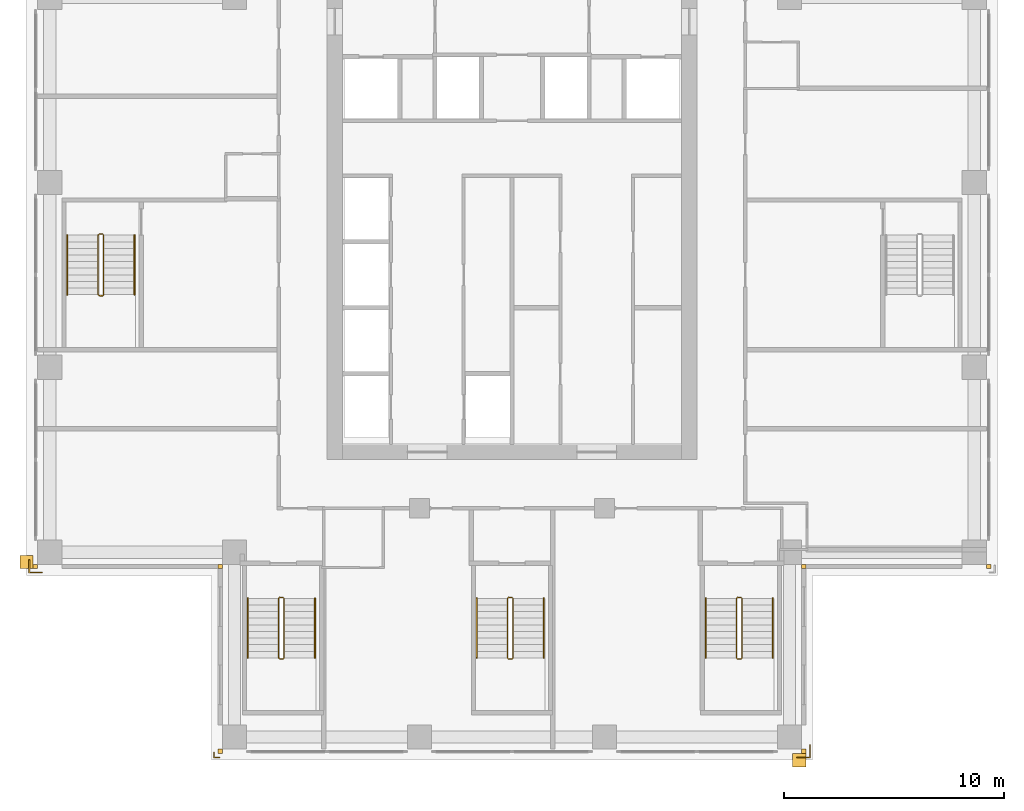
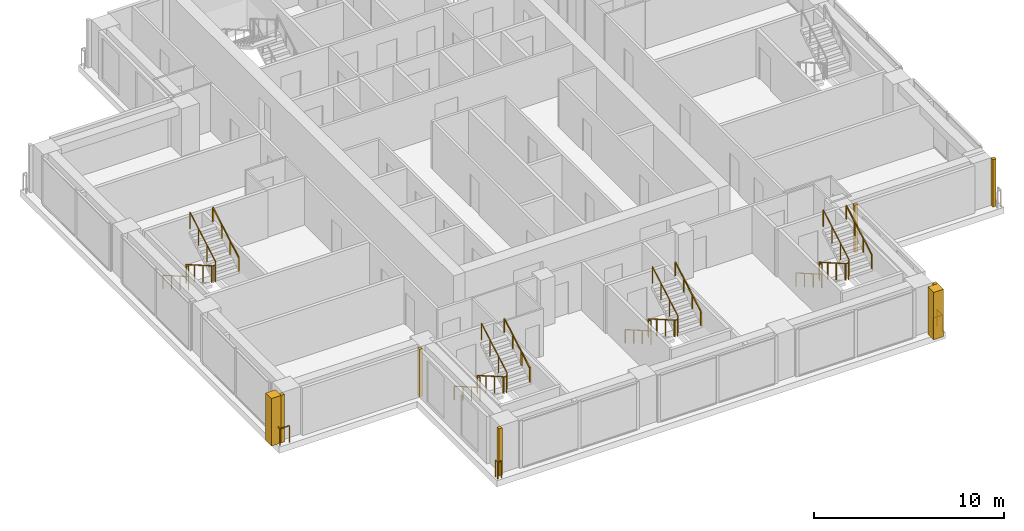
# One storey, part 14 of 16: 15 railings, 8 coverings.
"""IFC4 building model written with IfcOpenShell, lengths in metres."""

from ifc_helpers import new_model, si_unit, direction, frame, origin, origin_2d, place, context, subcontext, project, spatial, polyline, rectangle, outline, extrude, material, type_object, element, save


model = new_model("IFC4")

# Units and contexts
model_context = context("Model", 3, precision=1e-05, world=origin(), true_north=direction((0.0, 1.0)))
body_context = subcontext(model_context, "Body", "Model", "MODEL_VIEW")
ifc_project = project(units=[si_unit("LENGTHUNIT", "METRE"), si_unit("AREAUNIT", "SQUARE_METRE"), si_unit("VOLUMEUNIT", "CUBIC_METRE"), si_unit("PLANEANGLEUNIT", "RADIAN"), si_unit("MASSUNIT", "GRAM", prefix="KILO")], contexts=[model_context])

# Site, building, storey
site_placement = place(None, origin())
site = spatial("IfcSite", under=ifc_project, at=site_placement, CompositionType="ELEMENT")
building_placement = place(site_placement, origin())
building = spatial("IfcBuilding", under=site, at=building_placement, Name="Vermilion Ogive Tower", CompositionType="ELEMENT")
storey_placement = place(building_placement, frame((0.0, 0.0, 146.89990234375)))
storey = spatial("IfcBuildingStorey", under=building, at=storey_placement, Name="L37", CompositionType="ELEMENT", Elevation=146.89990234375)

# Railings
ifc_material_1 = material(Name="Stainless steel", Category="steel")
railing_type_1 = type_object("IfcRailingType", Name="Slab edge guard SG1", PredefinedType="GUARDRAIL", material=ifc_material_1)
railing_1_placement = place(storey_placement, frame((-13.300048828125, -21.929931640625, 0.0)))
element("IfcRailing", 1, at=railing_1_placement, inside=storey, type_object=railing_type_1, Name="L37 slab corner guard", PredefinedType="GUARDRAIL", context=body_context, shape_type="SweptSolid", body=[
    extrude(rectangle(XDim=0.050048828125, YDim=0.050048828125, at=origin_2d()), frame((0.0, 0.0, 1.0751953125), z_axis=(-1.0, 0.0, 0.0), x_axis=(0.0, -1.0, 0.0)), (0.0, 0.0, 1.0), 0.22998046875),
    extrude(rectangle(XDim=0.050048828125, YDim=0.050048828125, at=origin_2d()), frame((-0.22998046875, 0.0, 1.0751953125), z_axis=(0.0, 1.0, 0.0), x_axis=(-1.0, 0.0, 0.0)), (0.0, 0.0, 1.0), 0.22998046875),
    extrude(rectangle(XDim=0.050048828125, YDim=0.050048828125, at=origin_2d()), origin(), (0.0, 0.0, 1.0), 1.050048828125),
    extrude(rectangle(XDim=0.050048828125, YDim=0.050048828125, at=origin_2d()), frame((-0.22998046875, 0.0, 0.0)), (0.0, 0.0, 1.0), 1.050048828125),
    extrude(rectangle(XDim=0.050048828125, YDim=0.050048828125, at=origin_2d()), frame((-0.22998046875, 0.22998046875, 0.0)), (0.0, 0.0, 1.0), 1.050048828125),
])
railing_2_placement = place(storey_placement, frame((12.949951171875, -21.929931640625, 0.0)))
element("IfcRailing", 2, at=railing_2_placement, inside=storey, type_object=railing_type_1, Name="L37 slab corner guard", PredefinedType="GUARDRAIL", context=body_context, shape_type="SweptSolid", body=[
    extrude(rectangle(XDim=0.050048828125, YDim=0.050048828125, at=origin_2d()), frame((0.0, 0.0, 1.0751953125), z_axis=(1.0, 0.0, 0.0), x_axis=(0.0, 1.0, 0.0)), (0.0, 0.0, 1.0), 0.580078125),
    extrude(rectangle(XDim=0.050048828125, YDim=0.050048828125, at=origin_2d()), frame((0.580078125, 0.0, 1.0751953125), z_axis=(0.0, 1.0, 0.0), x_axis=(-1.0, 0.0, 0.0)), (0.0, 0.0, 1.0), 0.579833984375),
    extrude(rectangle(XDim=0.050048828125, YDim=0.050048828125, at=origin_2d()), origin(), (0.0, 0.0, 1.0), 1.050048828125),
    extrude(rectangle(XDim=0.050048828125, YDim=0.050048828125, at=origin_2d()), frame((0.580078125, 0.0, 0.0)), (0.0, 0.0, 1.0), 1.050048828125),
    extrude(rectangle(XDim=0.050048828125, YDim=0.050048828125, at=origin_2d()), frame((0.580078125, 0.579833984375, 0.0)), (0.0, 0.0, 1.0), 1.050048828125),
])
railing_3_placement = place(storey_placement, frame((-21.929931640625, -12.949951171875, 0.0)))
element("IfcRailing", 3, at=railing_3_placement, inside=storey, type_object=railing_type_1, Name="L37 slab corner guard", PredefinedType="GUARDRAIL", context=body_context, shape_type="SweptSolid", body=[
    extrude(rectangle(XDim=0.050048828125, YDim=0.050048828125, at=origin_2d()), frame((0.0, 0.0, 1.0751953125), z_axis=(0.0, -1.0, 0.0), x_axis=(1.0, 0.0, 0.0)), (0.0, 0.0, 1.0), 0.580078125),
    extrude(rectangle(XDim=0.050048828125, YDim=0.050048828125, at=origin_2d()), frame((0.0, -0.580078125, 1.0751953125), z_axis=(1.0, 0.0, 0.0), x_axis=(0.0, 1.0, 0.0)), (0.0, 0.0, 1.0), 0.579833984375),
    extrude(rectangle(XDim=0.050048828125, YDim=0.050048828125, at=origin_2d()), origin(), (0.0, 0.0, 1.0), 1.050048828125),
    extrude(rectangle(XDim=0.050048828125, YDim=0.050048828125, at=origin_2d()), frame((0.0, -0.580078125, 0.0)), (0.0, 0.0, 1.0), 1.050048828125),
    extrude(rectangle(XDim=0.050048828125, YDim=0.050048828125, at=origin_2d()), frame((0.579833984375, -0.580078125, 0.0)), (0.0, 0.0, 1.0), 1.050048828125),
])
ifc_material_2 = material(Name="Steel S355 painted", Category="steel")
railing_type_2 = type_object("IfcRailingType", Name="Stair guard 1100", PredefinedType="GUARDRAIL", material=ifc_material_2)
railing_4_placement = place(storey_placement, frame((-10.39990234375, -14.64990234375, 0.0)))
element("IfcRailing", 4, at=railing_4_placement, inside=storey, type_object=railing_type_2, Name="L37 ST3 stair guard 4", PredefinedType="GUARDRAIL", context=body_context, shape_type="SweptSolid", body=[
    extrude(rectangle(XDim=0.048095703125, YDim=0.048095703125, at=origin_2d()), frame((0.0, 0.0, 1.076171875), z_axis=(-1.0, 0.0, 0.0), x_axis=(0.0, -1.0, 0.0)), (0.0, 0.0, 1.0), 0.150146484375),
    extrude(rectangle(XDim=0.048095703125, YDim=0.048095703125, at=origin_2d()), frame((-0.150146484375, 0.0, 1.076171875), z_axis=(-0.268277960024, -0.268277960024, 0.925231793839), x_axis=(0.707106781187, -0.707106781187, 0.0)), (0.0, 0.0, 1.0), 0.1865234375),
    extrude(rectangle(XDim=0.048095703125, YDim=0.048095703125, at=origin_2d()), frame((-0.2001953125, -0.050048828125, 1.24853515625), z_axis=(0.0, -0.866903762492, 0.498475542607), x_axis=(1.0, 0.0, 0.0)), (0.0, 0.0, 1.0), 3.114501953125),
    extrude(rectangle(XDim=0.048095703125, YDim=0.048095703125, at=origin_2d()), frame((-0.2001953125, -2.75, 2.80126953125), z_axis=(0.707106781187, -0.707106781187, 0.0), x_axis=(0.707106781187, 0.707106781187, 0.0)), (0.0, 0.0, 1.0), 0.07080078125),
    extrude(rectangle(XDim=0.048095703125, YDim=0.048095703125, at=origin_2d()), frame((-0.150146484375, -2.800048828125, 2.80126953125), z_axis=(1.0, 0.0, 0.0), x_axis=(0.0, 1.0, 0.0)), (0.0, 0.0, 1.0), 0.150146484375),
    extrude(rectangle(XDim=0.048095703125, YDim=0.048095703125, at=origin_2d()), frame((0.0, -2.800048828125, 2.80126953125), z_axis=(0.267062837333, 0.268371968888, 0.925556009775), x_axis=(-0.708833529934, 0.705375805398, 0.0)), (0.0, 0.0, 1.0), 0.1865234375),
    extrude(rectangle(XDim=0.048095703125, YDim=0.048095703125, at=origin_2d()), frame((0.0498046875, -2.75, 2.9736328125), z_axis=(0.0, 0.866903762492, 0.498475542607), x_axis=(-1.0, 0.0, 0.0)), (0.0, 0.0, 1.0), 3.114501953125),
    extrude(rectangle(XDim=0.0419921875, YDim=0.0419921875, at=origin_2d()), origin(), (0.0, 0.0, 1.0), 1.052001953125),
    extrude(rectangle(XDim=0.0419921875, YDim=0.0419921875, at=origin_2d()), frame((-0.150146484375, 0.0, 0.0)), (0.0, 0.0, 1.0), 1.052001953125),
    extrude(rectangle(XDim=0.0419921875, YDim=0.0419921875, at=origin_2d()), frame((-0.2001953125, -0.050048828125, 0.172607421875)), (0.0, 0.0, 1.0), 1.052001953125),
    extrude(rectangle(XDim=0.0419921875, YDim=0.0419921875, at=origin_2d()), frame((-0.2001953125, -0.949951171875, 0.690185546875)), (0.0, 0.0, 1.0), 1.052001953125),
    extrude(rectangle(XDim=0.0419921875, YDim=0.0419921875, at=origin_2d()), frame((-0.2001953125, -1.85009765625, 1.20751953125)), (0.0, 0.0, 1.0), 1.052001953125),
    extrude(rectangle(XDim=0.0419921875, YDim=0.0419921875, at=origin_2d()), frame((-0.2001953125, -2.75, 1.72509765625)), (0.0, 0.0, 1.0), 1.052001953125),
    extrude(rectangle(XDim=0.0419921875, YDim=0.0419921875, at=origin_2d()), frame((-0.150146484375, -2.800048828125, 1.72509765625)), (0.0, 0.0, 1.0), 1.052001953125),
    extrude(rectangle(XDim=0.0419921875, YDim=0.0419921875, at=origin_2d()), frame((0.0, -2.800048828125, 1.72509765625)), (0.0, 0.0, 1.0), 1.052001953125),
    extrude(rectangle(XDim=0.0419921875, YDim=0.0419921875, at=origin_2d()), frame((0.0498046875, -2.75, 1.897705078125)), (0.0, 0.0, 1.0), 1.052001953125),
    extrude(rectangle(XDim=0.0419921875, YDim=0.0419921875, at=origin_2d()), frame((0.0498046875, -1.85009765625, 2.415283203125)), (0.0, 0.0, 1.0), 1.052001953125),
    extrude(rectangle(XDim=0.0419921875, YDim=0.0419921875, at=origin_2d()), frame((0.0498046875, -0.949951171875, 2.9326171875)), (0.0, 0.0, 1.0), 1.052001953125),
    extrude(rectangle(XDim=0.0419921875, YDim=0.0419921875, at=origin_2d()), frame((0.0498046875, -0.050048828125, 3.4501953125)), (0.0, 0.0, 1.0), 1.052001953125),
])
railing_5_placement = place(storey_placement, frame((0.0, -14.64990234375, 0.0)))
element("IfcRailing", 5, at=railing_5_placement, inside=storey, type_object=railing_type_2, Name="L37 ST4 stair guard 4", PredefinedType="GUARDRAIL", context=body_context, shape_type="SweptSolid", body=[
    extrude(rectangle(XDim=0.048095703125, YDim=0.048095703125, at=origin_2d()), frame((0.0, 0.0, 1.076171875), z_axis=(-1.0, 0.0, 0.0), x_axis=(0.0, -1.0, 0.0)), (0.0, 0.0, 1.0), 0.14990234375),
    extrude(rectangle(XDim=0.048095703125, YDim=0.048095703125, at=origin_2d()), frame((-0.14990234375, 0.0, 1.076171875), z_axis=(-0.268277960024, -0.268277960024, 0.925231793839), x_axis=(0.707106781187, -0.707106781187, 0.0)), (0.0, 0.0, 1.0), 0.1865234375),
    extrude(rectangle(XDim=0.048095703125, YDim=0.048095703125, at=origin_2d()), frame((-0.199951171875, -0.050048828125, 1.24853515625), z_axis=(0.0, -0.866903762492, 0.498475542607), x_axis=(1.0, 0.0, 0.0)), (0.0, 0.0, 1.0), 3.114501953125),
    extrude(rectangle(XDim=0.048095703125, YDim=0.048095703125, at=origin_2d()), frame((-0.199951171875, -2.75, 2.80126953125), z_axis=(0.707106781187, -0.707106781187, 0.0), x_axis=(0.707106781187, 0.707106781187, 0.0)), (0.0, 0.0, 1.0), 0.07080078125),
    extrude(rectangle(XDim=0.048095703125, YDim=0.048095703125, at=origin_2d()), frame((-0.14990234375, -2.800048828125, 2.80126953125), z_axis=(1.0, 0.0, 0.0), x_axis=(0.0, 1.0, 0.0)), (0.0, 0.0, 1.0), 0.14990234375),
    extrude(rectangle(XDim=0.048095703125, YDim=0.048095703125, at=origin_2d()), frame((0.0, -2.800048828125, 2.80126953125), z_axis=(0.268277960024, 0.268277960024, 0.925231793839), x_axis=(-0.707106781187, 0.707106781187, 0.0)), (0.0, 0.0, 1.0), 0.1865234375),
    extrude(rectangle(XDim=0.048095703125, YDim=0.048095703125, at=origin_2d()), frame((0.050048828125, -2.75, 2.9736328125), z_axis=(0.0, 0.866903762492, 0.498475542607), x_axis=(-1.0, 0.0, 0.0)), (0.0, 0.0, 1.0), 3.114501953125),
    extrude(rectangle(XDim=0.0419921875, YDim=0.0419921875, at=origin_2d()), origin(), (0.0, 0.0, 1.0), 1.052001953125),
    extrude(rectangle(XDim=0.0419921875, YDim=0.0419921875, at=origin_2d()), frame((-0.14990234375, 0.0, 0.0)), (0.0, 0.0, 1.0), 1.052001953125),
    extrude(rectangle(XDim=0.0419921875, YDim=0.0419921875, at=origin_2d()), frame((-0.199951171875, -0.050048828125, 0.172607421875)), (0.0, 0.0, 1.0), 1.052001953125),
    extrude(rectangle(XDim=0.0419921875, YDim=0.0419921875, at=origin_2d()), frame((-0.199951171875, -0.949951171875, 0.690185546875)), (0.0, 0.0, 1.0), 1.052001953125),
    extrude(rectangle(XDim=0.0419921875, YDim=0.0419921875, at=origin_2d()), frame((-0.199951171875, -1.85009765625, 1.20751953125)), (0.0, 0.0, 1.0), 1.052001953125),
    extrude(rectangle(XDim=0.0419921875, YDim=0.0419921875, at=origin_2d()), frame((-0.199951171875, -2.75, 1.72509765625)), (0.0, 0.0, 1.0), 1.052001953125),
    extrude(rectangle(XDim=0.0419921875, YDim=0.0419921875, at=origin_2d()), frame((-0.14990234375, -2.800048828125, 1.72509765625)), (0.0, 0.0, 1.0), 1.052001953125),
    extrude(rectangle(XDim=0.0419921875, YDim=0.0419921875, at=origin_2d()), frame((0.0, -2.800048828125, 1.72509765625)), (0.0, 0.0, 1.0), 1.052001953125),
    extrude(rectangle(XDim=0.0419921875, YDim=0.0419921875, at=origin_2d()), frame((0.050048828125, -2.75, 1.897705078125)), (0.0, 0.0, 1.0), 1.052001953125),
    extrude(rectangle(XDim=0.0419921875, YDim=0.0419921875, at=origin_2d()), frame((0.050048828125, -1.85009765625, 2.415283203125)), (0.0, 0.0, 1.0), 1.052001953125),
    extrude(rectangle(XDim=0.0419921875, YDim=0.0419921875, at=origin_2d()), frame((0.050048828125, -0.949951171875, 2.9326171875)), (0.0, 0.0, 1.0), 1.052001953125),
    extrude(rectangle(XDim=0.0419921875, YDim=0.0419921875, at=origin_2d()), frame((0.050048828125, -0.050048828125, 3.4501953125)), (0.0, 0.0, 1.0), 1.052001953125),
])
railing_6_placement = place(storey_placement, frame((10.39990234375, -14.64990234375, 0.0)))
element("IfcRailing", 6, at=railing_6_placement, inside=storey, type_object=railing_type_2, Name="L37 ST5 stair guard 4", PredefinedType="GUARDRAIL", context=body_context, shape_type="SweptSolid", body=[
    extrude(rectangle(XDim=0.048095703125, YDim=0.048095703125, at=origin_2d()), frame((0.0, 0.0, 1.076171875), z_axis=(-1.0, 0.0, 0.0), x_axis=(0.0, -1.0, 0.0)), (0.0, 0.0, 1.0), 0.14990234375),
    extrude(rectangle(XDim=0.048095703125, YDim=0.048095703125, at=origin_2d()), frame((-0.14990234375, 0.0, 1.076171875), z_axis=(-0.268277960024, -0.268277960024, 0.925231793839), x_axis=(0.707106781187, -0.707106781187, 0.0)), (0.0, 0.0, 1.0), 0.1865234375),
    extrude(rectangle(XDim=0.048095703125, YDim=0.048095703125, at=origin_2d()), frame((-0.199951171875, -0.050048828125, 1.24853515625), z_axis=(0.0, -0.866903762492, 0.498475542607), x_axis=(1.0, 0.0, 0.0)), (0.0, 0.0, 1.0), 3.114501953125),
    extrude(rectangle(XDim=0.048095703125, YDim=0.048095703125, at=origin_2d()), frame((-0.199951171875, -2.75, 2.80126953125), z_axis=(0.707106781187, -0.707106781187, 0.0), x_axis=(0.707106781187, 0.707106781187, 0.0)), (0.0, 0.0, 1.0), 0.07080078125),
    extrude(rectangle(XDim=0.048095703125, YDim=0.048095703125, at=origin_2d()), frame((-0.14990234375, -2.800048828125, 2.80126953125), z_axis=(1.0, 0.0, 0.0), x_axis=(0.0, 1.0, 0.0)), (0.0, 0.0, 1.0), 0.14990234375),
    extrude(rectangle(XDim=0.048095703125, YDim=0.048095703125, at=origin_2d()), frame((0.0, -2.800048828125, 2.80126953125), z_axis=(0.268277960024, 0.268277960024, 0.925231793839), x_axis=(-0.707106781187, 0.707106781187, 0.0)), (0.0, 0.0, 1.0), 0.1865234375),
    extrude(rectangle(XDim=0.048095703125, YDim=0.048095703125, at=origin_2d()), frame((0.050048828125, -2.75, 2.9736328125), z_axis=(0.0, 0.866903762492, 0.498475542607), x_axis=(-1.0, 0.0, 0.0)), (0.0, 0.0, 1.0), 3.114501953125),
    extrude(rectangle(XDim=0.0419921875, YDim=0.0419921875, at=origin_2d()), origin(), (0.0, 0.0, 1.0), 1.052001953125),
    extrude(rectangle(XDim=0.0419921875, YDim=0.0419921875, at=origin_2d()), frame((-0.14990234375, 0.0, 0.0)), (0.0, 0.0, 1.0), 1.052001953125),
    extrude(rectangle(XDim=0.0419921875, YDim=0.0419921875, at=origin_2d()), frame((-0.199951171875, -0.050048828125, 0.172607421875)), (0.0, 0.0, 1.0), 1.052001953125),
    extrude(rectangle(XDim=0.0419921875, YDim=0.0419921875, at=origin_2d()), frame((-0.199951171875, -0.949951171875, 0.690185546875)), (0.0, 0.0, 1.0), 1.052001953125),
    extrude(rectangle(XDim=0.0419921875, YDim=0.0419921875, at=origin_2d()), frame((-0.199951171875, -1.85009765625, 1.20751953125)), (0.0, 0.0, 1.0), 1.052001953125),
    extrude(rectangle(XDim=0.0419921875, YDim=0.0419921875, at=origin_2d()), frame((-0.199951171875, -2.75, 1.72509765625)), (0.0, 0.0, 1.0), 1.052001953125),
    extrude(rectangle(XDim=0.0419921875, YDim=0.0419921875, at=origin_2d()), frame((-0.14990234375, -2.800048828125, 1.72509765625)), (0.0, 0.0, 1.0), 1.052001953125),
    extrude(rectangle(XDim=0.0419921875, YDim=0.0419921875, at=origin_2d()), frame((0.0, -2.800048828125, 1.72509765625)), (0.0, 0.0, 1.0), 1.052001953125),
    extrude(rectangle(XDim=0.0419921875, YDim=0.0419921875, at=origin_2d()), frame((0.050048828125, -2.75, 1.897705078125)), (0.0, 0.0, 1.0), 1.052001953125),
    extrude(rectangle(XDim=0.0419921875, YDim=0.0419921875, at=origin_2d()), frame((0.050048828125, -1.85009765625, 2.415283203125)), (0.0, 0.0, 1.0), 1.052001953125),
    extrude(rectangle(XDim=0.0419921875, YDim=0.0419921875, at=origin_2d()), frame((0.050048828125, -0.949951171875, 2.9326171875)), (0.0, 0.0, 1.0), 1.052001953125),
    extrude(rectangle(XDim=0.0419921875, YDim=0.0419921875, at=origin_2d()), frame((0.050048828125, -0.050048828125, 3.4501953125)), (0.0, 0.0, 1.0), 1.052001953125),
])
railing_7_placement = place(storey_placement, frame((-18.60009765625, 1.85009765625, 0.0)))
element("IfcRailing", 7, at=railing_7_placement, inside=storey, type_object=railing_type_2, Name="L37 ST9 stair guard 4", PredefinedType="GUARDRAIL", context=body_context, shape_type="SweptSolid", body=[
    extrude(rectangle(XDim=0.048095703125, YDim=0.048095703125, at=origin_2d()), frame((0.0, 0.0, 1.076171875), z_axis=(-1.0, 0.0, 0.0), x_axis=(0.0, -1.0, 0.0)), (0.0, 0.0, 1.0), 0.14990234375),
    extrude(rectangle(XDim=0.048095703125, YDim=0.048095703125, at=origin_2d()), frame((-0.14990234375, 0.0, 1.076171875), z_axis=(-0.268277960024, -0.268277960024, 0.925231793839), x_axis=(0.707106781187, -0.707106781187, 0.0)), (0.0, 0.0, 1.0), 0.1865234375),
    extrude(rectangle(XDim=0.048095703125, YDim=0.048095703125, at=origin_2d()), frame((-0.199951171875, -0.050048828125, 1.24853515625), z_axis=(0.0, -0.866903762492, 0.498475542607), x_axis=(1.0, 0.0, 0.0)), (0.0, 0.0, 1.0), 3.114501953125),
    extrude(rectangle(XDim=0.048095703125, YDim=0.048095703125, at=origin_2d()), frame((-0.199951171875, -2.75, 2.80126953125), z_axis=(0.707106781187, -0.707106781187, 0.0), x_axis=(0.707106781187, 0.707106781187, 0.0)), (0.0, 0.0, 1.0), 0.07080078125),
    extrude(rectangle(XDim=0.048095703125, YDim=0.048095703125, at=origin_2d()), frame((-0.14990234375, -2.800048828125, 2.80126953125), z_axis=(1.0, 0.0, 0.0), x_axis=(0.0, 1.0, 0.0)), (0.0, 0.0, 1.0), 0.14990234375),
    extrude(rectangle(XDim=0.048095703125, YDim=0.048095703125, at=origin_2d()), frame((0.0, -2.800048828125, 2.80126953125), z_axis=(0.268277960024, 0.268277960024, 0.925231793839), x_axis=(-0.707106781187, 0.707106781187, 0.0)), (0.0, 0.0, 1.0), 0.1865234375),
    extrude(rectangle(XDim=0.048095703125, YDim=0.048095703125, at=origin_2d()), frame((0.050048828125, -2.75, 2.9736328125), z_axis=(0.0, 0.866903762492, 0.498475542607), x_axis=(-1.0, 0.0, 0.0)), (0.0, 0.0, 1.0), 3.114501953125),
    extrude(rectangle(XDim=0.0419921875, YDim=0.0419921875, at=origin_2d()), origin(), (0.0, 0.0, 1.0), 1.052001953125),
    extrude(rectangle(XDim=0.0419921875, YDim=0.0419921875, at=origin_2d()), frame((-0.14990234375, 0.0, 0.0)), (0.0, 0.0, 1.0), 1.052001953125),
    extrude(rectangle(XDim=0.0419921875, YDim=0.0419921875, at=origin_2d()), frame((-0.199951171875, -0.050048828125, 0.172607421875)), (0.0, 0.0, 1.0), 1.052001953125),
    extrude(rectangle(XDim=0.0419921875, YDim=0.0419921875, at=origin_2d()), frame((-0.199951171875, -0.949951171875, 0.690185546875)), (0.0, 0.0, 1.0), 1.052001953125),
    extrude(rectangle(XDim=0.0419921875, YDim=0.0419921875, at=origin_2d()), frame((-0.199951171875, -1.85009765625, 1.20751953125)), (0.0, 0.0, 1.0), 1.052001953125),
    extrude(rectangle(XDim=0.0419921875, YDim=0.0419921875, at=origin_2d()), frame((-0.199951171875, -2.75, 1.72509765625)), (0.0, 0.0, 1.0), 1.052001953125),
    extrude(rectangle(XDim=0.0419921875, YDim=0.0419921875, at=origin_2d()), frame((-0.14990234375, -2.800048828125, 1.72509765625)), (0.0, 0.0, 1.0), 1.052001953125),
    extrude(rectangle(XDim=0.0419921875, YDim=0.0419921875, at=origin_2d()), frame((0.0, -2.800048828125, 1.72509765625)), (0.0, 0.0, 1.0), 1.052001953125),
    extrude(rectangle(XDim=0.0419921875, YDim=0.0419921875, at=origin_2d()), frame((0.050048828125, -2.75, 1.897705078125)), (0.0, 0.0, 1.0), 1.052001953125),
    extrude(rectangle(XDim=0.0419921875, YDim=0.0419921875, at=origin_2d()), frame((0.050048828125, -1.85009765625, 2.415283203125)), (0.0, 0.0, 1.0), 1.052001953125),
    extrude(rectangle(XDim=0.0419921875, YDim=0.0419921875, at=origin_2d()), frame((0.050048828125, -0.949951171875, 2.9326171875)), (0.0, 0.0, 1.0), 1.052001953125),
    extrude(rectangle(XDim=0.0419921875, YDim=0.0419921875, at=origin_2d()), frame((0.050048828125, -0.050048828125, 3.4501953125)), (0.0, 0.0, 1.0), 1.052001953125),
])
ifc_material_3 = material(Name="Stainless steel", Category="steel")
railing_type_3 = type_object("IfcRailingType", Name="Stair handrail 900", PredefinedType="HANDRAIL", material=ifc_material_3)
railing_8_placement = place(storey_placement, frame((-12.0, -14.699951171875, 0.172607421875)))
element("IfcRailing", 8, at=railing_8_placement, inside=storey, type_object=railing_type_3, Name="L37 ST3 stair handrail 1", PredefinedType="HANDRAIL", context=body_context, shape_type="SweptSolid", body=[
    extrude(rectangle(XDim=0.048095703125, YDim=0.048095703125, at=origin_2d()), frame((0.0, 0.0, 0.8759765625), z_axis=(0.0, -0.866903762492, 0.498475542607), x_axis=(1.0, 0.0, 0.0)), (0.0, 0.0, 1.0), 3.114501953125),
    extrude(rectangle(XDim=0.0419921875, YDim=0.0419921875, at=origin_2d()), origin(), (0.0, 0.0, 1.0), 0.851806640625),
    extrude(rectangle(XDim=0.0419921875, YDim=0.0419921875, at=origin_2d()), frame((0.0, -0.89990234375, 0.517578125)), (0.0, 0.0, 1.0), 0.851806640625),
    extrude(rectangle(XDim=0.0419921875, YDim=0.0419921875, at=origin_2d()), frame((0.0, -1.800048828125, 1.034912109375)), (0.0, 0.0, 1.0), 0.851806640625),
    extrude(rectangle(XDim=0.0419921875, YDim=0.0419921875, at=origin_2d()), frame((0.0, -2.699951171875, 1.552490234375)), (0.0, 0.0, 1.0), 0.851806640625),
])
railing_9_placement = place(storey_placement, frame((-8.949951171875, -17.39990234375, 1.897705078125)))
element("IfcRailing", 9, at=railing_9_placement, inside=storey, type_object=railing_type_3, Name="L37 ST3 stair handrail 2", PredefinedType="HANDRAIL", context=body_context, shape_type="SweptSolid", body=[
    extrude(rectangle(XDim=0.048095703125, YDim=0.048095703125, at=origin_2d()), frame((0.0, 0.0, 0.8759765625), z_axis=(0.0, 0.866903762492, 0.498475542607), x_axis=(-1.0, 0.0, 0.0)), (0.0, 0.0, 1.0), 3.114501953125),
    extrude(rectangle(XDim=0.0419921875, YDim=0.0419921875, at=origin_2d()), origin(), (0.0, 0.0, 1.0), 0.851806640625),
    extrude(rectangle(XDim=0.0419921875, YDim=0.0419921875, at=origin_2d()), frame((0.0, 0.89990234375, 0.517578125)), (0.0, 0.0, 1.0), 0.851806640625),
    extrude(rectangle(XDim=0.0419921875, YDim=0.0419921875, at=origin_2d()), frame((0.0, 1.800048828125, 1.034912109375)), (0.0, 0.0, 1.0), 0.851806640625),
    extrude(rectangle(XDim=0.0419921875, YDim=0.0419921875, at=origin_2d()), frame((0.0, 2.699951171875, 1.552490234375)), (0.0, 0.0, 1.0), 0.851806640625),
])
railing_10_placement = place(storey_placement, frame((-1.60009765625, -14.699951171875, 0.172607421875)))
element("IfcRailing", 10, at=railing_10_placement, inside=storey, type_object=railing_type_3, Name="L37 ST4 stair handrail 1", PredefinedType="HANDRAIL", context=body_context, shape_type="SweptSolid", body=[
    extrude(rectangle(XDim=0.048095703125, YDim=0.048095703125, at=origin_2d()), frame((0.0, 0.0, 0.8759765625), z_axis=(0.0, -0.866903762492, 0.498475542607), x_axis=(1.0, 0.0, 0.0)), (0.0, 0.0, 1.0), 3.114501953125),
    extrude(rectangle(XDim=0.0419921875, YDim=0.0419921875, at=origin_2d()), origin(), (0.0, 0.0, 1.0), 0.851806640625),
    extrude(rectangle(XDim=0.0419921875, YDim=0.0419921875, at=origin_2d()), frame((0.0, -0.89990234375, 0.517578125)), (0.0, 0.0, 1.0), 0.851806640625),
    extrude(rectangle(XDim=0.0419921875, YDim=0.0419921875, at=origin_2d()), frame((0.0, -1.800048828125, 1.034912109375)), (0.0, 0.0, 1.0), 0.851806640625),
    extrude(rectangle(XDim=0.0419921875, YDim=0.0419921875, at=origin_2d()), frame((0.0, -2.699951171875, 1.552490234375)), (0.0, 0.0, 1.0), 0.851806640625),
])
railing_11_placement = place(storey_placement, frame((1.449951171875, -17.39990234375, 1.897705078125)))
element("IfcRailing", 11, at=railing_11_placement, inside=storey, type_object=railing_type_3, Name="L37 ST4 stair handrail 2", PredefinedType="HANDRAIL", context=body_context, shape_type="SweptSolid", body=[
    extrude(rectangle(XDim=0.048095703125, YDim=0.048095703125, at=origin_2d()), frame((0.0, 0.0, 0.8759765625), z_axis=(0.0, 0.866903762492, 0.498475542607), x_axis=(-1.0, 0.0, 0.0)), (0.0, 0.0, 1.0), 3.114501953125),
    extrude(rectangle(XDim=0.0419921875, YDim=0.0419921875, at=origin_2d()), origin(), (0.0, 0.0, 1.0), 0.851806640625),
    extrude(rectangle(XDim=0.0419921875, YDim=0.0419921875, at=origin_2d()), frame((0.0, 0.89990234375, 0.517578125)), (0.0, 0.0, 1.0), 0.851806640625),
    extrude(rectangle(XDim=0.0419921875, YDim=0.0419921875, at=origin_2d()), frame((0.0, 1.800048828125, 1.034912109375)), (0.0, 0.0, 1.0), 0.851806640625),
    extrude(rectangle(XDim=0.0419921875, YDim=0.0419921875, at=origin_2d()), frame((0.0, 2.699951171875, 1.552490234375)), (0.0, 0.0, 1.0), 0.851806640625),
])
railing_12_placement = place(storey_placement, frame((8.800048828125, -14.699951171875, 0.172607421875)))
element("IfcRailing", 12, at=railing_12_placement, inside=storey, type_object=railing_type_3, Name="L37 ST5 stair handrail 1", PredefinedType="HANDRAIL", context=body_context, shape_type="SweptSolid", body=[
    extrude(rectangle(XDim=0.048095703125, YDim=0.048095703125, at=origin_2d()), frame((0.0, 0.0, 0.8759765625), z_axis=(0.0, -0.866903762492, 0.498475542607), x_axis=(1.0, 0.0, 0.0)), (0.0, 0.0, 1.0), 3.114501953125),
    extrude(rectangle(XDim=0.0419921875, YDim=0.0419921875, at=origin_2d()), origin(), (0.0, 0.0, 1.0), 0.851806640625),
    extrude(rectangle(XDim=0.0419921875, YDim=0.0419921875, at=origin_2d()), frame((0.0, -0.89990234375, 0.517578125)), (0.0, 0.0, 1.0), 0.851806640625),
    extrude(rectangle(XDim=0.0419921875, YDim=0.0419921875, at=origin_2d()), frame((0.0, -1.800048828125, 1.034912109375)), (0.0, 0.0, 1.0), 0.851806640625),
    extrude(rectangle(XDim=0.0419921875, YDim=0.0419921875, at=origin_2d()), frame((0.0, -2.699951171875, 1.552490234375)), (0.0, 0.0, 1.0), 0.851806640625),
])
railing_13_placement = place(storey_placement, frame((11.85009765625, -17.39990234375, 1.897705078125)))
element("IfcRailing", 13, at=railing_13_placement, inside=storey, type_object=railing_type_3, Name="L37 ST5 stair handrail 2", PredefinedType="HANDRAIL", context=body_context, shape_type="SweptSolid", body=[
    extrude(rectangle(XDim=0.048095703125, YDim=0.048095703125, at=origin_2d()), frame((0.0, 0.0, 0.8759765625), z_axis=(0.0, 0.866903762492, 0.498475542607), x_axis=(-1.0, 0.0, 0.0)), (0.0, 0.0, 1.0), 3.114501953125),
    extrude(rectangle(XDim=0.0419921875, YDim=0.0419921875, at=origin_2d()), origin(), (0.0, 0.0, 1.0), 0.851806640625),
    extrude(rectangle(XDim=0.0419921875, YDim=0.0419921875, at=origin_2d()), frame((0.0, 0.89990234375, 0.517578125)), (0.0, 0.0, 1.0), 0.851806640625),
    extrude(rectangle(XDim=0.0419921875, YDim=0.0419921875, at=origin_2d()), frame((0.0, 1.800048828125, 1.034912109375)), (0.0, 0.0, 1.0), 0.851806640625),
    extrude(rectangle(XDim=0.0419921875, YDim=0.0419921875, at=origin_2d()), frame((0.0, 2.699951171875, 1.552490234375)), (0.0, 0.0, 1.0), 0.851806640625),
])
railing_14_placement = place(storey_placement, frame((-20.199951171875, 1.800048828125, 0.172607421875)))
element("IfcRailing", 14, at=railing_14_placement, inside=storey, type_object=railing_type_3, Name="L37 ST9 stair handrail 1", PredefinedType="HANDRAIL", context=body_context, shape_type="SweptSolid", body=[
    extrude(rectangle(XDim=0.048095703125, YDim=0.048095703125, at=origin_2d()), frame((0.0, 0.0, 0.8759765625), z_axis=(0.0, -0.866903762492, 0.498475542607), x_axis=(1.0, 0.0, 0.0)), (0.0, 0.0, 1.0), 3.114501953125),
    extrude(rectangle(XDim=0.0419921875, YDim=0.0419921875, at=origin_2d()), origin(), (0.0, 0.0, 1.0), 0.851806640625),
    extrude(rectangle(XDim=0.0419921875, YDim=0.0419921875, at=origin_2d()), frame((0.0, -0.89990234375, 0.517578125)), (0.0, 0.0, 1.0), 0.851806640625),
    extrude(rectangle(XDim=0.0419921875, YDim=0.0419921875, at=origin_2d()), frame((0.0, -1.800048828125, 1.034912109375)), (0.0, 0.0, 1.0), 0.851806640625),
    extrude(rectangle(XDim=0.0419921875, YDim=0.0419921875, at=origin_2d()), frame((0.0, -2.699951171875, 1.552490234375)), (0.0, 0.0, 1.0), 0.851806640625),
])
railing_15_placement = place(storey_placement, frame((-17.14990234375, -0.89990234375, 1.897705078125)))
element("IfcRailing", 15, at=railing_15_placement, inside=storey, type_object=railing_type_3, Name="L37 ST9 stair handrail 2", PredefinedType="HANDRAIL", context=body_context, shape_type="SweptSolid", body=[
    extrude(rectangle(XDim=0.048095703125, YDim=0.048095703125, at=origin_2d()), frame((0.0, 0.0, 0.8759765625), z_axis=(0.0, 0.866903762492, 0.498475542607), x_axis=(-1.0, 0.0, 0.0)), (0.0, 0.0, 1.0), 3.114501953125),
    extrude(rectangle(XDim=0.0419921875, YDim=0.0419921875, at=origin_2d()), origin(), (0.0, 0.0, 1.0), 0.851806640625),
    extrude(rectangle(XDim=0.0419921875, YDim=0.0419921875, at=origin_2d()), frame((0.0, 0.89990234375, 0.517578125)), (0.0, 0.0, 1.0), 0.851806640625),
    extrude(rectangle(XDim=0.0419921875, YDim=0.0419921875, at=origin_2d()), frame((0.0, 1.800048828125, 1.034912109375)), (0.0, 0.0, 1.0), 0.851806640625),
    extrude(rectangle(XDim=0.0419921875, YDim=0.0419921875, at=origin_2d()), frame((0.0, 2.699951171875, 1.552490234375)), (0.0, 0.0, 1.0), 0.851806640625),
])

# Coverings
ifc_material_4 = material(Name="Stone cladding", Category="masonry")
covering_type_1 = type_object("IfcCoveringType", Name="Stone corner buttress", PredefinedType="CLADDING", material=ifc_material_4)
covering_1_placement = place(storey_placement, origin())
element("IfcCovering", 16, at=covering_1_placement, inside=storey, type_object=covering_type_1, Name="Stone crease pier SK", PredefinedType="CLADDING", context=body_context, shape_type="SweptSolid", body=[
    extrude(outline(polyline([(12.75, -22.35009765625), (13.35009765625, -22.35009765625), (13.35009765625, -21.75), (12.75, -21.75), (12.75, -22.35009765625)])), origin(), (0.0, 0.0, 1.0), 3.050048828125),
])
covering_2_placement = place(storey_placement, origin())
element("IfcCovering", 17, at=covering_2_placement, inside=storey, type_object=covering_type_1, Name="Stone crease pier WK", PredefinedType="CLADDING", context=body_context, shape_type="SweptSolid", body=[
    extrude(outline(polyline([(-22.35009765625, -12.75), (-22.35009765625, -13.35009765625), (-21.75, -13.35009765625), (-21.75, -12.75), (-22.35009765625, -12.75)])), origin(), (0.0, 0.0, 1.0), 3.050048828125),
])
ifc_material_5 = material(Name="Stone cladding", Category="masonry")
covering_type_2 = type_object("IfcCoveringType", Name="Stone pier", PredefinedType="CLADDING", material=ifc_material_5)
covering_3_placement = place(storey_placement, origin())
element("IfcCovering", 18, at=covering_3_placement, inside=storey, type_object=covering_type_2, Name="Stone corner pier SE1", PredefinedType="CLADDING", context=body_context, shape_type="SweptSolid", body=[
    extrude(outline(polyline([(13.14990234375, -21.75), (13.14990234375, -21.550048828125), (13.35009765625, -21.550048828125), (13.35009765625, -21.75), (13.14990234375, -21.75)])), origin(), (0.0, 0.0, 1.0), 3.050048828125),
])
covering_4_placement = place(storey_placement, origin())
element("IfcCovering", 19, at=covering_4_placement, inside=storey, type_object=covering_type_2, Name="Stone corner pier X1E1", PredefinedType="CLADDING", context=body_context, shape_type="SweptSolid", body=[
    extrude(outline(polyline([(13.14990234375, -13.14990234375), (13.35009765625, -13.14990234375), (13.35009765625, -13.35009765625), (13.14990234375, -13.35009765625), (13.14990234375, -13.14990234375)])), origin(), (0.0, 0.0, 1.0), 3.050048828125),
])
covering_5_placement = place(storey_placement, origin())
element("IfcCovering", 20, at=covering_5_placement, inside=storey, type_object=covering_type_2, Name="Stone corner pier X2E1", PredefinedType="CLADDING", context=body_context, shape_type="SweptSolid", body=[
    extrude(outline(polyline([(21.550048828125, -13.35009765625), (21.550048828125, -13.14990234375), (21.75, -13.14990234375), (21.75, -13.35009765625), (21.550048828125, -13.35009765625)])), origin(), (0.0, 0.0, 1.0), 3.050048828125),
])
covering_6_placement = place(storey_placement, origin())
element("IfcCovering", 21, at=covering_6_placement, inside=storey, type_object=covering_type_2, Name="Stone corner pier WE1", PredefinedType="CLADDING", context=body_context, shape_type="SweptSolid", body=[
    extrude(outline(polyline([(-21.75, -13.14990234375), (-21.550048828125, -13.14990234375), (-21.550048828125, -13.35009765625), (-21.75, -13.35009765625), (-21.75, -13.14990234375)])), origin(), (0.0, 0.0, 1.0), 3.050048828125),
])
covering_7_placement = place(storey_placement, origin())
element("IfcCovering", 22, at=covering_7_placement, inside=storey, type_object=covering_type_2, Name="Stone corner pier X7E1", PredefinedType="CLADDING", context=body_context, shape_type="SweptSolid", body=[
    extrude(outline(polyline([(-13.14990234375, -13.14990234375), (-13.14990234375, -13.35009765625), (-13.35009765625, -13.35009765625), (-13.35009765625, -13.14990234375), (-13.14990234375, -13.14990234375)])), origin(), (0.0, 0.0, 1.0), 3.050048828125),
])
covering_8_placement = place(storey_placement, origin())
element("IfcCovering", 23, at=covering_8_placement, inside=storey, type_object=covering_type_2, Name="Stone corner pier X8E1", PredefinedType="CLADDING", context=body_context, shape_type="SweptSolid", body=[
    extrude(outline(polyline([(-13.35009765625, -21.550048828125), (-13.14990234375, -21.550048828125), (-13.14990234375, -21.75), (-13.35009765625, -21.75), (-13.35009765625, -21.550048828125)])), origin(), (0.0, 0.0, 1.0), 3.050048828125),
])

save(model, "model.ifc")
